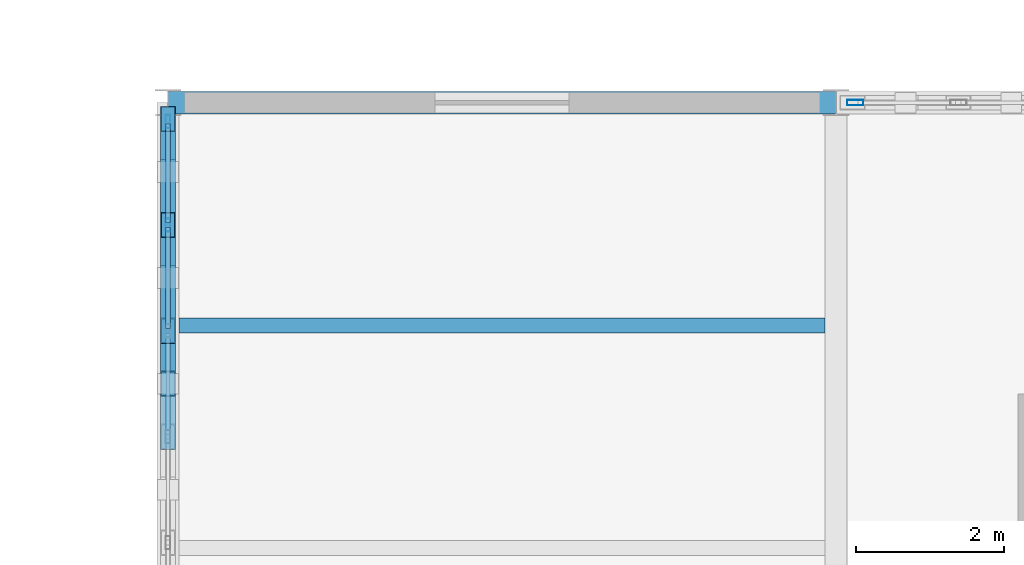
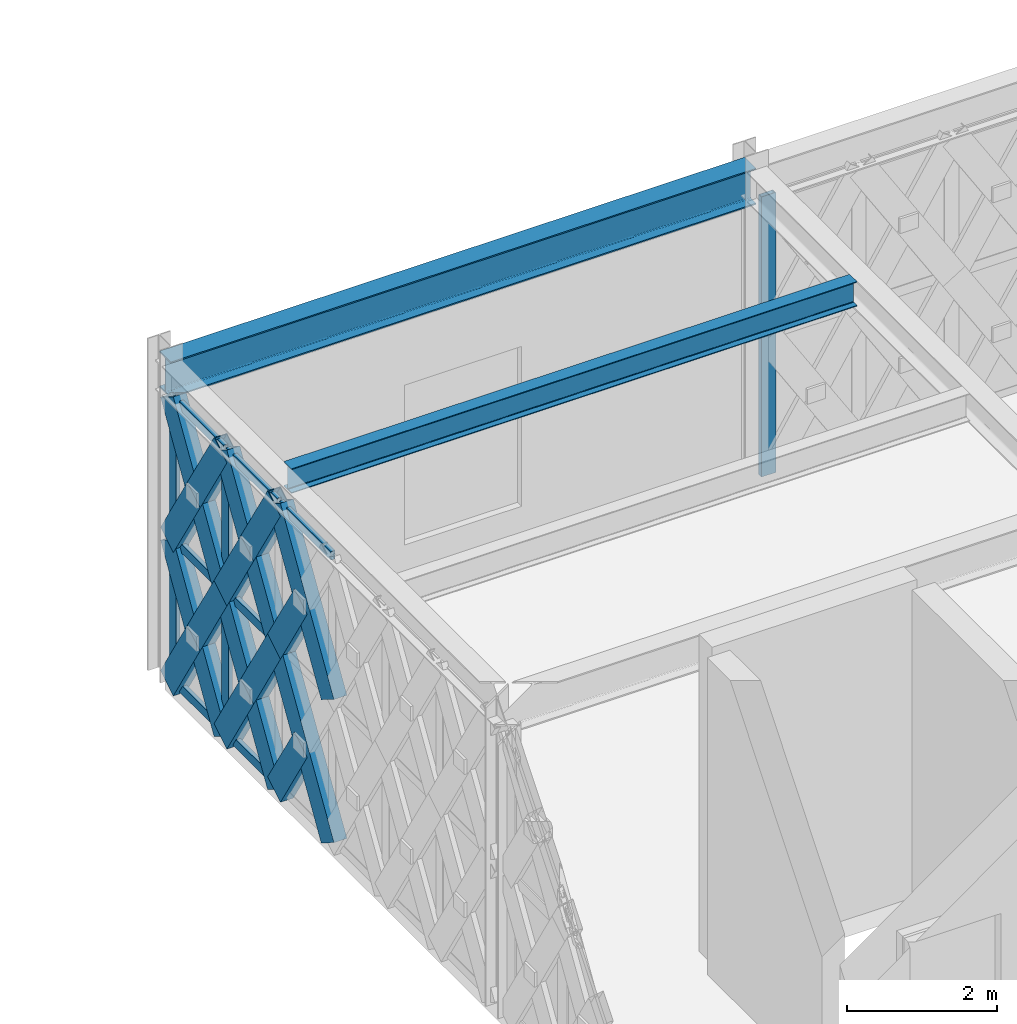
# One storey, part 87 of 166: 26 members, 2 beams, 2 elements without a shape of their own.
"""IFC4 building model written with IfcOpenShell, lengths in metres."""

from ifc_helpers import new_model, si_unit, direction, frame, origin, origin_2d, place, context, subcontext, project, spatial, hollow_rectangle, i_section, extrude, material, material_profile, profile_set, type_object, element, aggregate, save


model = new_model("IFC4")

# Units and contexts
model_context = context("Model", 3, precision=1e-05, world=origin(), true_north=direction((0.0, 1.0)))
body_context = subcontext(model_context, "Body", "Model", "MODEL_VIEW")
ifc_project = project(units=[si_unit("LENGTHUNIT", "METRE"), si_unit("AREAUNIT", "SQUARE_METRE"), si_unit("VOLUMEUNIT", "CUBIC_METRE"), si_unit("PLANEANGLEUNIT", "RADIAN"), si_unit("MASSUNIT", "GRAM", prefix="KILO")], contexts=[model_context])

# Site, building, storey
site_placement = place(None, origin())
site = spatial("IfcSite", under=ifc_project, at=site_placement, CompositionType="ELEMENT")
building_placement = place(site_placement, origin())
building = spatial("IfcBuilding", under=site, at=building_placement, Name="Haizhuo Lancet Aquarium", CompositionType="ELEMENT")
storey_placement = place(building_placement, frame((0.0, 0.0, 5.39990234375)))
storey = spatial("IfcBuildingStorey", under=building, at=storey_placement, Name="L01", CompositionType="ELEMENT", Elevation=5.39990234375)

# Beam
ifc_material_1 = material(Name="Steel S355", Category="steel")
ifc_material_profile_1 = material_profile(ifc_material_1, i_section(OverallWidth=0.300048828125, OverallDepth=0.587890625, WebThickness=0.011962890625, FlangeThickness=0.02001953125, FilletRadius=0.02587890625, at=origin_2d()), Name="HM 588x300x12x20")
ifc_profile_set_1 = profile_set([ifc_material_profile_1], Name="Steel S355")
beam_type_1 = type_object("IfcBeamType", Name="BM-ST-HM588", PredefinedType="BEAM", material=ifc_profile_set_1)
beam_1_placement = place(storey_placement, frame((36.0, 36.0, 4.84619140625), z_axis=(1.0, 0.0, 0.0), x_axis=(0.0, 1.0, 0.0)))
element("IfcBeam", 1, at=beam_1_placement, inside=storey, type_object=beam_type_1, Name="L01 V7 primary girder BM-L01-V7-007", PredefinedType="BEAM", context=body_context, shape_type="SweptSolid", body=[
    extrude(i_section(OverallWidth=0.300048828125, OverallDepth=0.587890625, WebThickness=0.011962890625, FlangeThickness=0.02001953125, FilletRadius=0.02587890625, at=origin_2d()), origin(), (0.0, 0.0, 1.0), 9.0),
])

# Curtain wall, members
ifc_material_2 = material(Name="Aluminium 6063-T6", Category="aluminium")
curtain_wall_type_1 = type_object("IfcCurtainWallType", Name="CWD-8560x4650", PredefinedType="NOTDEFINED", material=ifc_material_2)
curtain_wall_1_placement = place(storey_placement, origin())
curtain_wall_1 = element("IfcCurtainWall", 2, at=curtain_wall_1_placement, inside=storey, type_object=curtain_wall_type_1, Name="L01 curtain wall CW-V7-L01-295", PredefinedType="NOTDEFINED")
ifc_material_profile_2 = material_profile(ifc_material_2, hollow_rectangle(XDim=0.06494140625, YDim=0.179931640625, WallThickness=0.00390625, at=origin_2d()), Name="ALU-M 65x180x4")
ifc_profile_set_2 = profile_set([ifc_material_profile_2], Name="Aluminium 6063-T6")
member_type_1 = type_object("IfcMemberType", Name="CW-MUL-1", PredefinedType="MULLION", material=ifc_profile_set_2)
member_1_placement = place(storey_placement, frame((36.0, 34.35302734375, 0.0), z_axis=(0.0, 0.0, 1.0), x_axis=(-1.0, 0.0, 0.0)))
member_1 = element("IfcMember", 3, at=member_1_placement, type_object=member_type_1, Name="CWD-85x46 mullion 6", PredefinedType="MULLION", context=body_context, shape_type="SweptSolid", body=[
    extrude(hollow_rectangle(XDim=0.06494140625, YDim=0.179931640625, WallThickness=0.00390625, at=origin_2d()), origin(), (0.0, 0.0, 1.0), 4.652099609375),
])
member_2_placement = place(storey_placement, frame((36.0, 35.748046875, 0.0), z_axis=(0.0, 0.0, 1.0), x_axis=(-1.0, 0.0, 0.0)))
member_2 = element("IfcMember", 4, at=member_2_placement, type_object=member_type_1, Name="CWD-85x46 mullion 7", PredefinedType="MULLION", context=body_context, shape_type="SweptSolid", body=[
    extrude(hollow_rectangle(XDim=0.06494140625, YDim=0.179931640625, WallThickness=0.00390625, at=origin_2d()), origin(), (0.0, 0.0, 1.0), 4.652099609375),
])

# Curtain wall, member
curtain_wall_type_2 = type_object("IfcCurtainWallType", Name="CWD-8560x4550", PredefinedType="NOTDEFINED", material=ifc_material_2)
curtain_wall_2_placement = place(storey_placement, origin())
curtain_wall_2 = element("IfcCurtainWall", 5, at=curtain_wall_2_placement, inside=storey, type_object=curtain_wall_type_2, Name="L01 curtain wall CW-V7-L01-284", PredefinedType="NOTDEFINED")
ifc_material_profile_3 = material_profile(ifc_material_2, hollow_rectangle(XDim=0.074951171875, YDim=0.219970703125, WallThickness=0.0048828125, at=origin_2d()), Name="ALU-M 75x220x5")
ifc_profile_set_3 = profile_set([ifc_material_profile_3], Name="Aluminium 6063-T6")
member_type_2 = type_object("IfcMemberType", Name="CW-MUL-2", PredefinedType="MULLION", material=ifc_profile_set_3)
member_3_placement = place(storey_placement, frame((45.258056640625, 36.0, 0.0), z_axis=(0.0, 0.0, 1.0), x_axis=(0.0, 1.0, 0.0)))
member_3 = element("IfcMember", 6, at=member_3_placement, type_object=member_type_2, Name="CWD-85x45 mullion 1", PredefinedType="MULLION", context=body_context, shape_type="SweptSolid", body=[
    extrude(hollow_rectangle(XDim=0.074951171875, YDim=0.219970703125, WallThickness=0.0048828125, at=origin_2d()), origin(), (0.0, 0.0, 1.0), 4.552001953125),
])
aggregate(curtain_wall_2, [member_3])

# Member
ifc_material_profile_4 = material_profile(ifc_material_2, hollow_rectangle(XDim=0.06494140625, YDim=0.139892578125, WallThickness=0.00390625, at=origin_2d()), Name="ALU-T 65x140x4")
ifc_profile_set_4 = profile_set([ifc_material_profile_4], Name="Aluminium 6063-T6")
member_type_3 = type_object("IfcMemberType", Name="CW-TRN-1", PredefinedType="NOTDEFINED", material=ifc_profile_set_4)
member_4_placement = place(storey_placement, frame((36.0, 31.531982421875, 4.619140625), z_axis=(0.0, 1.0, 0.0), x_axis=(-1.0, 0.0, 0.0)))
member_4 = element("IfcMember", 7, at=member_4_placement, type_object=member_type_3, Name="CWD-85x46 transom 4.3", ObjectType="TRANSOM", PredefinedType="USERDEFINED", context=body_context, shape_type="SweptSolid", body=[
    extrude(hollow_rectangle(XDim=0.06494140625, YDim=0.139892578125, WallThickness=0.00390625, at=origin_2d()), origin(), (0.0, 0.0, 1.0), 1.362060546875),
])

member_5_placement = place(storey_placement, frame((36.0, 32.958984375, 0.033203125), z_axis=(0.0, 1.0, 0.0), x_axis=(-1.0, 0.0, 0.0)))
member_5 = element("IfcMember", 8, at=member_5_placement, type_object=member_type_3, Name="CWD-85x46 transom 5.1", ObjectType="TRANSOM", PredefinedType="USERDEFINED", context=body_context, shape_type="SweptSolid", body=[
    extrude(hollow_rectangle(XDim=0.06494140625, YDim=0.139892578125, WallThickness=0.00390625, at=origin_2d()), origin(), (0.0, 0.0, 1.0), 1.362060546875),
])

member_6_placement = place(storey_placement, frame((36.0, 32.958984375, 2.326171875), z_axis=(0.0, 1.0, 0.0), x_axis=(-1.0, 0.0, 0.0)))
member_6 = element("IfcMember", 9, at=member_6_placement, type_object=member_type_3, Name="CWD-85x46 transom 5.2", ObjectType="TRANSOM", PredefinedType="USERDEFINED", context=body_context, shape_type="SweptSolid", body=[
    extrude(hollow_rectangle(XDim=0.06494140625, YDim=0.139892578125, WallThickness=0.00390625, at=origin_2d()), origin(), (0.0, 0.0, 1.0), 1.362060546875),
])

member_7_placement = place(storey_placement, frame((36.0, 32.958984375, 4.619140625), z_axis=(0.0, 1.0, 0.0), x_axis=(-1.0, 0.0, 0.0)))
member_7 = element("IfcMember", 10, at=member_7_placement, type_object=member_type_3, Name="CWD-85x46 transom 5.3", ObjectType="TRANSOM", PredefinedType="USERDEFINED", context=body_context, shape_type="SweptSolid", body=[
    extrude(hollow_rectangle(XDim=0.06494140625, YDim=0.139892578125, WallThickness=0.00390625, at=origin_2d()), origin(), (0.0, 0.0, 1.0), 1.362060546875),
])

member_8_placement = place(storey_placement, frame((36.0, 34.385986328125, 0.033203125), z_axis=(0.0, 1.0, 0.0), x_axis=(-1.0, 0.0, 0.0)))
member_8 = element("IfcMember", 11, at=member_8_placement, type_object=member_type_3, Name="CWD-85x46 transom 6.1", ObjectType="TRANSOM", PredefinedType="USERDEFINED", context=body_context, shape_type="SweptSolid", body=[
    extrude(hollow_rectangle(XDim=0.06494140625, YDim=0.139892578125, WallThickness=0.00390625, at=origin_2d()), origin(), (0.0, 0.0, 1.0), 1.3291015625),
])

member_9_placement = place(storey_placement, frame((36.0, 34.385986328125, 2.326171875), z_axis=(0.0, 1.0, 0.0), x_axis=(-1.0, 0.0, 0.0)))
member_9 = element("IfcMember", 12, at=member_9_placement, type_object=member_type_3, Name="CWD-85x46 transom 6.2", ObjectType="TRANSOM", PredefinedType="USERDEFINED", context=body_context, shape_type="SweptSolid", body=[
    extrude(hollow_rectangle(XDim=0.06494140625, YDim=0.139892578125, WallThickness=0.00390625, at=origin_2d()), origin(), (0.0, 0.0, 1.0), 1.3291015625),
])

member_10_placement = place(storey_placement, frame((36.0, 34.385986328125, 4.619140625), z_axis=(0.0, 1.0, 0.0), x_axis=(-1.0, 0.0, 0.0)))
member_10 = element("IfcMember", 13, at=member_10_placement, type_object=member_type_3, Name="CWD-85x46 transom 6.3", ObjectType="TRANSOM", PredefinedType="USERDEFINED", context=body_context, shape_type="SweptSolid", body=[
    extrude(hollow_rectangle(XDim=0.06494140625, YDim=0.139892578125, WallThickness=0.00390625, at=origin_2d()), origin(), (0.0, 0.0, 1.0), 1.3291015625),
])

aggregate(curtain_wall_1, [member_1, member_2, member_4, member_5, member_6, member_7, member_8, member_9, member_10])

# Beam
ifc_material_profile_5 = material_profile(ifc_material_1, i_section(OverallWidth=0.199951171875, OverallDepth=0.39990234375, WebThickness=0.008056640625, FlangeThickness=0.012939453125, FilletRadius=0.01611328125, at=origin_2d()), Name="HN 400x200x8x13")
ifc_profile_set_5 = profile_set([ifc_material_profile_5], Name="Steel S355")
beam_type_2 = type_object("IfcBeamType", Name="JST-ST-HN400", PredefinedType="JOIST", material=ifc_profile_set_5)
beam_2_placement = place(storey_placement, frame((36.14990234375, 33.0, 4.940185546875), z_axis=(1.0, 0.0, 0.0), x_axis=(0.0, 1.0, 0.0)))
element("IfcBeam", 14, at=beam_2_placement, inside=storey, type_object=beam_type_2, Name="L01 V7 secondary floor joist 5", PredefinedType="JOIST", context=body_context, shape_type="SweptSolid", body=[
    extrude(i_section(OverallWidth=0.199951171875, OverallDepth=0.39990234375, WebThickness=0.008056640625, FlangeThickness=0.012939453125, FilletRadius=0.01611328125, at=origin_2d()), origin(), (0.0, 0.0, 1.0), 8.7001953125),
])

# Members
ifc_material_profile_6 = material_profile(ifc_material_1, hollow_rectangle(XDim=0.199951171875, YDim=0.39990234375, WallThickness=0.011962890625, at=origin_2d()), Name="RHS 200x400x12")
ifc_profile_set_6 = profile_set([ifc_material_profile_6], Name="Steel S355")
member_type_4 = type_object("IfcMemberType", Name="MEM-LB-RHS200x400", PredefinedType="BRACE", material=ifc_profile_set_6)
member_11_placement = place(storey_placement, frame((36.0, 31.5, 0.0), z_axis=(0.0, 0.522903960116, 0.85239160513), x_axis=(-1.0, 0.0, 0.0)))
element("IfcMember", 15, at=member_11_placement, inside=storey, type_object=member_type_4, Name="Gothic lancet continuous diagonal brace CW-V7-L01-295 7A", PredefinedType="BRACE", context=body_context, shape_type="SweptSolid", body=[
    extrude(hollow_rectangle(XDim=0.199951171875, YDim=0.39990234375, WallThickness=0.011962890625, at=origin_2d()), origin(), (0.0, 0.0, 1.0), 2.72900390625),
])
member_12_placement = place(storey_placement, frame((36.0, 32.927001953125, 0.0), z_axis=(0.0, -0.523228847887, 0.85219221584), x_axis=(1.0, 0.0, 0.0)))
element("IfcMember", 16, at=member_12_placement, inside=storey, type_object=member_type_4, Name="Gothic lancet split diagonal brace CW-V7-L01-295 7B1", PredefinedType="BRACE", context=body_context, shape_type="SweptSolid", body=[
    extrude(hollow_rectangle(XDim=0.199951171875, YDim=0.39990234375, WallThickness=0.011962890625, at=origin_2d()), origin(), (0.0, 0.0, 1.0), 1.36474609375),
])
member_13_placement = place(storey_placement, frame((36.0, 31.5, 2.326171875), z_axis=(0.0, 0.522943837384, 0.852367140933), x_axis=(-1.0, 0.0, 0.0)))
element("IfcMember", 17, at=member_13_placement, inside=storey, type_object=member_type_4, Name="Gothic lancet continuous diagonal brace CW-V7-L01-295 8A", PredefinedType="BRACE", context=body_context, shape_type="SweptSolid", body=[
    extrude(hollow_rectangle(XDim=0.199951171875, YDim=0.39990234375, WallThickness=0.011962890625, at=origin_2d()), origin(), (0.0, 0.0, 1.0), 2.728759765625),
])
member_14_placement = place(storey_placement, frame((36.0, 32.927001953125, 2.326171875), z_axis=(0.0, -0.523308619575, 0.85214323249), x_axis=(1.0, 0.0, 0.0)))
element("IfcMember", 18, at=member_14_placement, inside=storey, type_object=member_type_4, Name="Gothic lancet split diagonal brace CW-V7-L01-295 8B1", PredefinedType="BRACE", context=body_context, shape_type="SweptSolid", body=[
    extrude(hollow_rectangle(XDim=0.199951171875, YDim=0.39990234375, WallThickness=0.011962890625, at=origin_2d()), origin(), (0.0, 0.0, 1.0), 1.364501953125),
])
member_15_placement = place(storey_placement, frame((36.0, 32.927001953125, 0.0), z_axis=(0.0, 0.522643885704, 0.852551094502), x_axis=(-1.0, 0.0, 0.0)))
element("IfcMember", 19, at=member_15_placement, inside=storey, type_object=member_type_4, Name="Gothic lancet continuous diagonal brace CW-V7-L01-295 9A", PredefinedType="BRACE", context=body_context, shape_type="SweptSolid", body=[
    extrude(hollow_rectangle(XDim=0.199951171875, YDim=0.39990234375, WallThickness=0.011962890625, at=origin_2d()), origin(), (0.0, 0.0, 1.0), 2.728515625),
])
for number, where, z_axis, x_axis, name in (
    (20, (36.0, 34.35302734375, 0.0), (0.0, -0.522708917992, 0.852511224003), (1.0, 0.0, 0.0), "Gothic lancet split diagonal brace CW-V7-L01-295 9B1"),
    (21, (36.0, 33.639892578125, 1.1630859375), (0.0, -0.522578844291, 0.852590963768), (1.0, 0.0, 0.0), "Gothic lancet split diagonal brace CW-V7-L01-295 9B2"),
):
    element("IfcMember", number, at=place(storey_placement, frame(where, z_axis=z_axis, x_axis=x_axis)), inside=storey, type_object=member_type_4, Name=name, PredefinedType="BRACE", context=body_context, shape_type="SweptSolid", body=[
        extrude(hollow_rectangle(XDim=0.199951171875, YDim=0.39990234375, WallThickness=0.011962890625, at=origin_2d()), origin(), (0.0, 0.0, 1.0), 1.3642578125),
    ])
member_16_placement = place(storey_placement, frame((36.0, 32.927001953125, 2.326171875), z_axis=(0.0, 0.522683758057, 0.852526650061), x_axis=(-1.0, 0.0, 0.0)))
element("IfcMember", 22, at=member_16_placement, inside=storey, type_object=member_type_4, Name="Gothic lancet continuous diagonal brace CW-V7-L01-295 10A", PredefinedType="BRACE", context=body_context, shape_type="SweptSolid", body=[
    extrude(hollow_rectangle(XDim=0.199951171875, YDim=0.39990234375, WallThickness=0.011962890625, at=origin_2d()), origin(), (0.0, 0.0, 1.0), 2.728271484375),
])
member_17_placement = place(storey_placement, frame((36.0, 34.35302734375, 2.326171875), z_axis=(0.0, -0.5227886701, 0.852462319646), x_axis=(1.0, 0.0, 0.0)))
element("IfcMember", 23, at=member_17_placement, inside=storey, type_object=member_type_4, Name="Gothic lancet split diagonal brace CW-V7-L01-295 10B1", PredefinedType="BRACE", context=body_context, shape_type="SweptSolid", body=[
    extrude(hollow_rectangle(XDim=0.199951171875, YDim=0.39990234375, WallThickness=0.011962890625, at=origin_2d()), origin(), (0.0, 0.0, 1.0), 1.364013671875),
])
member_18_placement = place(storey_placement, frame((36.0, 33.639892578125, 3.489013671875), z_axis=(0.0, -0.522578844291, 0.852590963768), x_axis=(1.0, 0.0, 0.0)))
element("IfcMember", 24, at=member_18_placement, inside=storey, type_object=member_type_4, Name="Gothic lancet split diagonal brace CW-V7-L01-295 10B2", PredefinedType="BRACE", context=body_context, shape_type="SweptSolid", body=[
    extrude(hollow_rectangle(XDim=0.199951171875, YDim=0.39990234375, WallThickness=0.011962890625, at=origin_2d()), origin(), (0.0, 0.0, 1.0), 1.3642578125),
])
member_19_placement = place(storey_placement, frame((36.0, 34.35302734375, 0.0), z_axis=(0.0, 0.522903960116, 0.85239160513), x_axis=(-1.0, 0.0, 0.0)))
element("IfcMember", 25, at=member_19_placement, inside=storey, type_object=member_type_4, Name="Gothic lancet continuous diagonal brace CW-V7-L01-295 11A", PredefinedType="BRACE", context=body_context, shape_type="SweptSolid", body=[
    extrude(hollow_rectangle(XDim=0.199951171875, YDim=0.39990234375, WallThickness=0.011962890625, at=origin_2d()), origin(), (0.0, 0.0, 1.0), 2.72900390625),
])
member_20_placement = place(storey_placement, frame((36.0, 35.780029296875, 0.0), z_axis=(0.0, -0.522708917992, 0.852511224003), x_axis=(1.0, 0.0, 0.0)))
element("IfcMember", 26, at=member_20_placement, inside=storey, type_object=member_type_4, Name="Gothic lancet split diagonal brace CW-V7-L01-295 11B1", PredefinedType="BRACE", context=body_context, shape_type="SweptSolid", body=[
    extrude(hollow_rectangle(XDim=0.199951171875, YDim=0.39990234375, WallThickness=0.011962890625, at=origin_2d()), origin(), (0.0, 0.0, 1.0), 1.3642578125),
])
member_21_placement = place(storey_placement, frame((36.0, 35.06689453125, 1.1630859375), z_axis=(0.0, -0.52309892014, 0.852271975222), x_axis=(1.0, 0.0, 0.0)))
element("IfcMember", 27, at=member_21_placement, inside=storey, type_object=member_type_4, Name="Gothic lancet split diagonal brace CW-V7-L01-295 11B2", PredefinedType="BRACE", context=body_context, shape_type="SweptSolid", body=[
    extrude(hollow_rectangle(XDim=0.199951171875, YDim=0.39990234375, WallThickness=0.011962890625, at=origin_2d()), origin(), (0.0, 0.0, 1.0), 1.36474609375),
])
member_22_placement = place(storey_placement, frame((36.0, 34.35302734375, 2.326171875), z_axis=(0.0, 0.522943837384, 0.852367140933), x_axis=(-1.0, 0.0, 0.0)))
element("IfcMember", 28, at=member_22_placement, inside=storey, type_object=member_type_4, Name="Gothic lancet continuous diagonal brace CW-V7-L01-295 12A", PredefinedType="BRACE", context=body_context, shape_type="SweptSolid", body=[
    extrude(hollow_rectangle(XDim=0.199951171875, YDim=0.39990234375, WallThickness=0.011962890625, at=origin_2d()), origin(), (0.0, 0.0, 1.0), 2.728759765625),
])
member_23_placement = place(storey_placement, frame((36.0, 35.780029296875, 2.326171875), z_axis=(0.0, -0.5227886701, 0.852462319646), x_axis=(1.0, 0.0, 0.0)))
element("IfcMember", 29, at=member_23_placement, inside=storey, type_object=member_type_4, Name="Gothic lancet split diagonal brace CW-V7-L01-295 12B1", PredefinedType="BRACE", context=body_context, shape_type="SweptSolid", body=[
    extrude(hollow_rectangle(XDim=0.199951171875, YDim=0.39990234375, WallThickness=0.011962890625, at=origin_2d()), origin(), (0.0, 0.0, 1.0), 1.364013671875),
])
member_24_placement = place(storey_placement, frame((36.0, 35.06689453125, 3.489013671875), z_axis=(0.0, -0.52309892014, 0.852271975222), x_axis=(1.0, 0.0, 0.0)))
element("IfcMember", 30, at=member_24_placement, inside=storey, type_object=member_type_4, Name="Gothic lancet split diagonal brace CW-V7-L01-295 12B2", PredefinedType="BRACE", context=body_context, shape_type="SweptSolid", body=[
    extrude(hollow_rectangle(XDim=0.199951171875, YDim=0.39990234375, WallThickness=0.011962890625, at=origin_2d()), origin(), (0.0, 0.0, 1.0), 1.36474609375),
])

save(model, "model.ifc")
